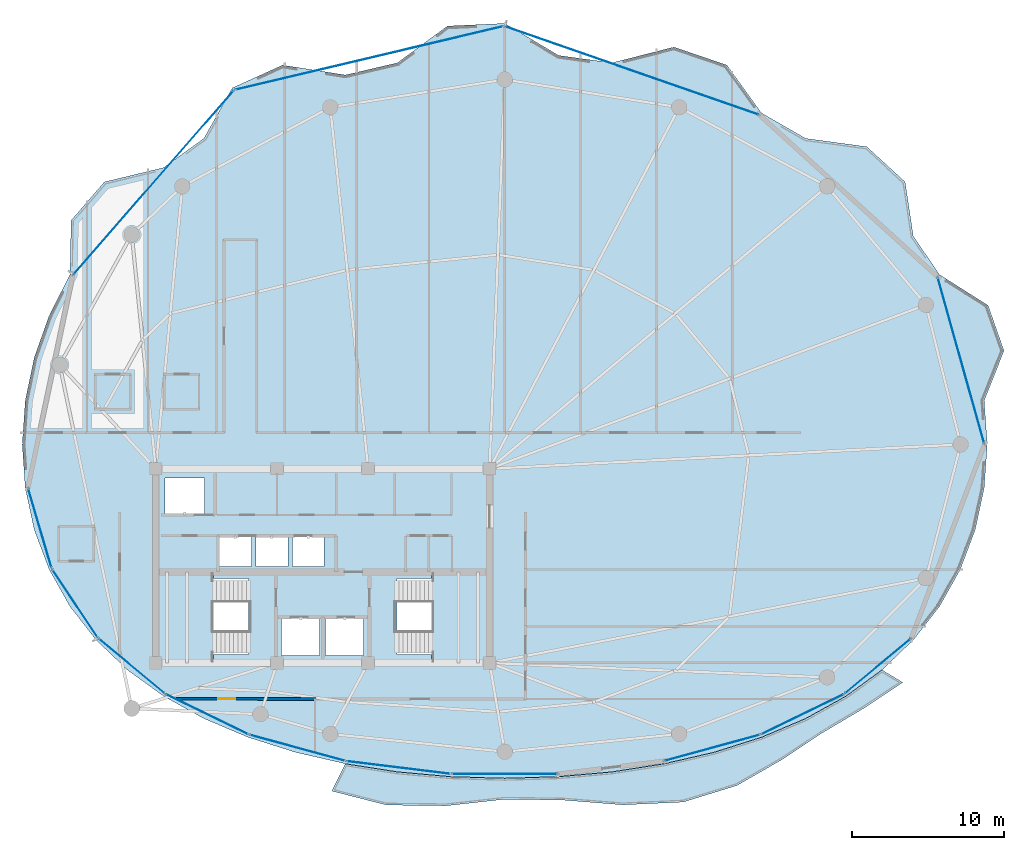
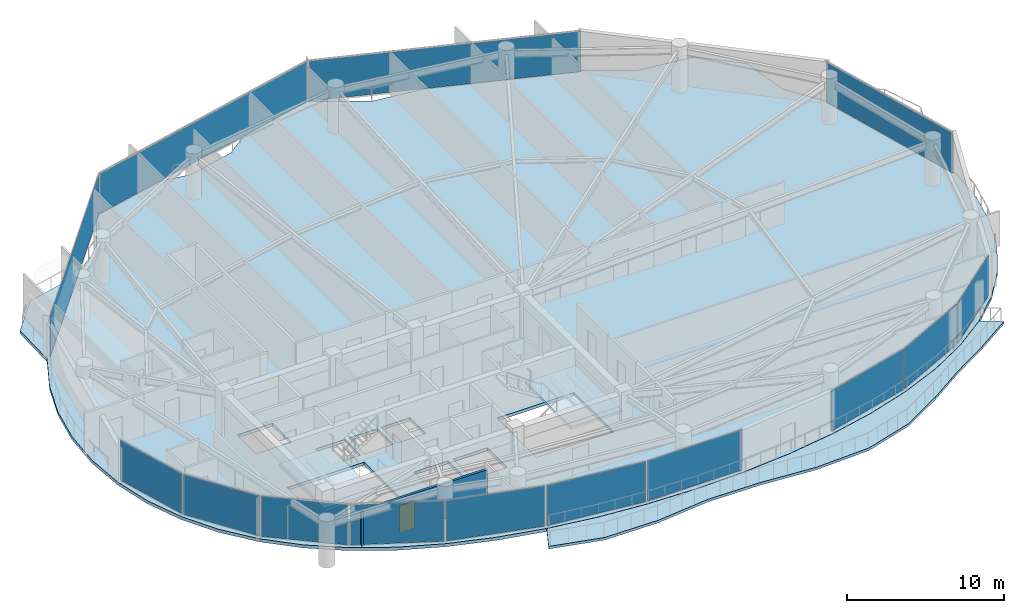
# One storey, part 22 of 29: 14 plates, 4 slabs, 1 door, 1 wall, 1 opening, 16 elements without a shape of their own.
"""IFC4 building model written with IfcOpenShell, lengths in metres."""

from ifc_helpers import new_model, si_unit, direction, frame, frame_2d, origin, origin_2d, place, context, subcontext, project, spatial, polyline, rectangle, outline, extrude, material, layer, layer_set, type_object, element, fill, aggregate, save


model = new_model("IFC4")

# Units and contexts
model_context = context("Model", 3, precision=1e-05, world=origin(), true_north=direction((0.0, 1.0)))
body_context = subcontext(model_context, "Body", "Model", "MODEL_VIEW")
ifc_project = project(units=[si_unit("LENGTHUNIT", "METRE"), si_unit("AREAUNIT", "SQUARE_METRE"), si_unit("VOLUMEUNIT", "CUBIC_METRE"), si_unit("PLANEANGLEUNIT", "RADIAN"), si_unit("MASSUNIT", "GRAM", prefix="KILO")], contexts=[model_context])

# Site, building, storey
site_placement = place(None, origin())
site = spatial("IfcSite", under=ifc_project, at=site_placement, CompositionType="ELEMENT")
building_placement = place(site_placement, origin())
building = spatial("IfcBuilding", under=site, at=building_placement, Name="Kazevale Care Tower and Concert Hall", CompositionType="ELEMENT")
storey_placement = place(building_placement, frame((0.0, 0.0, 249.60009765625)))
storey = spatial("IfcBuildingStorey", under=building, at=storey_placement, Name="L66", CompositionType="ELEMENT", Elevation=249.60009765625)

# Curtain wall, plate
ifc_material_1 = material(Name="Aluminium 6063-T6 and Low-E Glass", Category="aluminium")
ifc_layer_1 = layer(ifc_material_1, 0.179931640625)
ifc_layer_set_1 = layer_set([ifc_layer_1], Name="Aluminium 6063-T6 and Low-E Glass")
curtain_wall_type_1 = type_object("IfcCurtainWallType", Name="Convex Checkerboard Finned Curtain Wall CW-2", PredefinedType="NOTDEFINED", material=ifc_layer_set_1)
curtain_wall_1_placement = place(storey_placement, origin())
curtain_wall_1 = element("IfcCurtainWall", 1, at=curtain_wall_1_placement, inside=storey, type_object=curtain_wall_type_1, Name="cw:L66:f14", PredefinedType="NOTDEFINED")
ifc_material_2 = material(Name="Low-E Laminated Glass", Category="glass")
ifc_layer_2 = layer(ifc_material_2, 0.028076171875)
ifc_layer_set_2 = layer_set([ifc_layer_2], Name="Low-E Laminated Glass")
plate_type_1 = type_object("IfcPlateType", Name="CW-2 Low-E Glazing Panel 28mm", PredefinedType="CURTAIN_PANEL", material=ifc_layer_set_2)
plate_1_placement = place(storey_placement, frame((21.85009765625, 55.2529296875, 0.074951171875), z_axis=(0.0, 0.0, 1.0), x_axis=(0.657174776708, 0.753738225685, 0.0)))
plate_1 = element("IfcPlate", 2, at=plate_1_placement, type_object=plate_type_1, Name="CW-2 panel 1.1", PredefinedType="CURTAIN_PANEL", context=body_context, shape_type="SweptSolid", body=[
    extrude(rectangle(XDim=16.03662109375, YDim=0.028076171875, at=origin_2d()), origin(), (0.0, 0.0, 1.0), 3.1298828125),
])
aggregate(curtain_wall_1, [plate_1])

curtain_wall_2_placement = place(storey_placement, origin())
curtain_wall_2 = element("IfcCurtainWall", 3, at=curtain_wall_2_placement, inside=storey, type_object=curtain_wall_type_1, Name="cw:L66:f16", PredefinedType="NOTDEFINED")
plate_2_placement = place(storey_placement, frame((53.37451171875, 62.638427734375, 0.074951171875), z_axis=(0.0, 0.0, 1.0), x_axis=(0.94447485363, -0.328583704497, 0.0)))
plate_2 = element("IfcPlate", 4, at=plate_2_placement, type_object=plate_type_1, Name="CW-2 panel 1.1", PredefinedType="CURTAIN_PANEL", context=body_context, shape_type="SweptSolid", body=[
    extrude(rectangle(XDim=17.671142578125, YDim=0.028076171875, at=origin_2d()), origin(), (0.0, 0.0, 1.0), 3.1298828125),
])
aggregate(curtain_wall_2, [plate_2])

ifc_layer_3 = layer(ifc_material_1, 0.179931640625)
ifc_layer_set_3 = layer_set([ifc_layer_3], Name="Aluminium 6063-T6 and Low-E Glass")
curtain_wall_type_2 = type_object("IfcCurtainWallType", Name="Waist & Upper Residential Curtain Wall CW-4", PredefinedType="NOTDEFINED", material=ifc_layer_set_3)
curtain_wall_3_placement = place(storey_placement, origin())
curtain_wall_3 = element("IfcCurtainWall", 5, at=curtain_wall_3_placement, inside=storey, type_object=curtain_wall_type_2, Name="cw:L66:f11", PredefinedType="NOTDEFINED")
ifc_layer_4 = layer(ifc_material_2, 0.030029296875)
ifc_layer_set_4 = layer_set([ifc_layer_4], Name="Low-E Laminated Glass")
plate_type_2 = type_object("IfcPlateType", Name="CW-4 Low-E Glazing Panel 30mm", PredefinedType="CURTAIN_PANEL", material=ifc_layer_set_4)
plate_3_placement = place(storey_placement, frame((16.677978515625, 27.525390625, 0.079833984375), z_axis=(0.0, 0.0, 1.0), x_axis=(-0.554616540853, 0.832106058512, 0.0)))
plate_3 = element("IfcPlate", 6, at=plate_3_placement, type_object=plate_type_2, Name="CW-4 panel 1.1", PredefinedType="CURTAIN_PANEL", context=body_context, shape_type="SweptSolid", body=[
    extrude(rectangle(XDim=5.357421875, YDim=0.030029296875, at=origin_2d()), origin(), (0.0, 0.0, 1.0), 3.1201171875),
])
aggregate(curtain_wall_3, [plate_3])

curtain_wall_4_placement = place(storey_placement, origin())
curtain_wall_4 = element("IfcCurtainWall", 7, at=curtain_wall_4_placement, inside=storey, type_object=curtain_wall_type_2, Name="cw:L66:f12", PredefinedType="NOTDEFINED")
plate_4_placement = place(storey_placement, frame((14.363525390625, 32.489013671875, 0.079833984375), z_axis=(0.0, 0.0, 1.0), x_axis=(-0.282098184457, 0.959385539982, 0.0)))
plate_4 = element("IfcPlate", 8, at=plate_4_placement, type_object=plate_type_2, Name="CW-4 panel 1.1", PredefinedType="CURTAIN_PANEL", context=body_context, shape_type="SweptSolid", body=[
    extrude(rectangle(XDim=5.40185546875, YDim=0.030029296875, at=origin_2d()), origin(), (0.0, 0.0, 1.0), 3.1201171875),
])
aggregate(curtain_wall_4, [plate_4])

curtain_wall_5_placement = place(storey_placement, origin())
curtain_wall_5 = element("IfcCurtainWall", 9, at=curtain_wall_5_placement, inside=storey, type_object=curtain_wall_type_2, Name="cw:L66:f15", PredefinedType="NOTDEFINED")
plate_5_placement = place(storey_placement, frame((36.06298828125, 63.46240234375, 0.079833984375), z_axis=(0.0, 0.0, 1.0), x_axis=(0.973086746233, 0.230439111929, 0.0)))
plate_5 = element("IfcPlate", 10, at=plate_5_placement, type_object=plate_type_2, Name="CW-4 panel 1.1", PredefinedType="CURTAIN_PANEL", context=body_context, shape_type="SweptSolid", body=[
    extrude(rectangle(XDim=18.11376953125, YDim=0.030029296875, at=origin_2d()), origin(), (0.0, 0.0, 1.0), 3.1201171875),
])
aggregate(curtain_wall_5, [plate_5])

curtain_wall_6_placement = place(storey_placement, origin())
curtain_wall_6 = element("IfcCurtainWall", 11, at=curtain_wall_6_placement, inside=storey, type_object=curtain_wall_type_2, Name="cw:L66:f18", PredefinedType="NOTDEFINED")
plate_6_placement = place(storey_placement, frame((75.071533203125, 43.531005859375, 0.079833984375), z_axis=(0.0, 0.0, 1.0), x_axis=(0.269600864915, -0.962972156211, 0.0)))
plate_6 = element("IfcPlate", 12, at=plate_6_placement, type_object=plate_type_2, Name="CW-4 panel 1.1", PredefinedType="CURTAIN_PANEL", context=body_context, shape_type="SweptSolid", body=[
    extrude(rectangle(XDim=11.327392578125, YDim=0.030029296875, at=origin_2d()), origin(), (0.0, 0.0, 1.0), 3.1201171875),
])
aggregate(curtain_wall_6, [plate_6])

ifc_layer_5 = layer(ifc_material_1, 0.179931640625)
ifc_layer_set_5 = layer_set([ifc_layer_5], Name="Aluminium 6063-T6 and Low-E Glass")
curtain_wall_type_3 = type_object("IfcCurtainWallType", Name="Sheltered Concave Balcony Curtain Wall CW-5", PredefinedType="NOTDEFINED", material=ifc_layer_set_5)
curtain_wall_7_placement = place(storey_placement, origin())
curtain_wall_7 = element("IfcCurtainWall", 13, at=curtain_wall_7_placement, inside=storey, type_object=curtain_wall_type_3, Name="cw:L66:f02", PredefinedType="NOTDEFINED")
ifc_layer_6 = layer(ifc_material_2, 0.02587890625)
ifc_layer_set_6 = layer_set([ifc_layer_6], Name="Low-E Laminated Glass")
plate_type_3 = type_object("IfcPlateType", Name="CW-5 Low-E Glazing Panel 26mm", PredefinedType="CURTAIN_PANEL", material=ifc_layer_set_6)
plate_7_placement = place(storey_placement, frame((69.590576171875, 23.396484375, 0.074951171875), z_axis=(0.0, 0.0, 1.0), x_axis=(-0.768407210062, -0.639961217204, 0.0)))
plate_7 = element("IfcPlate", 14, at=plate_7_placement, type_object=plate_type_3, Name="CW-5 panel 1.1", PredefinedType="CURTAIN_PANEL", context=body_context, shape_type="SweptSolid", body=[
    extrude(rectangle(XDim=5.580078125, YDim=0.02587890625, at=origin_2d()), origin(), (0.0, 0.0, 1.0), 3.1298828125),
])
aggregate(curtain_wall_7, [plate_7])

curtain_wall_8_placement = place(storey_placement, origin())
curtain_wall_8 = element("IfcCurtainWall", 15, at=curtain_wall_8_placement, inside=storey, type_object=curtain_wall_type_3, Name="cw:L66:f03", PredefinedType="NOTDEFINED")
plate_8_placement = place(storey_placement, frame((64.62255859375, 20.218017578125, 0.074951171875), z_axis=(0.0, 0.0, 1.0), x_axis=(-0.89934566163, -0.437238357087, 0.0)))
plate_8 = element("IfcPlate", 16, at=plate_8_placement, type_object=plate_type_3, Name="CW-5 panel 1.1", PredefinedType="CURTAIN_PANEL", context=body_context, shape_type="SweptSolid", body=[
    extrude(rectangle(XDim=6.002197265625, YDim=0.02587890625, at=origin_2d()), origin(), (0.0, 0.0, 1.0), 3.1298828125),
])
aggregate(curtain_wall_8, [plate_8])

curtain_wall_9_placement = place(storey_placement, origin())
curtain_wall_9 = element("IfcCurtainWall", 17, at=curtain_wall_9_placement, inside=storey, type_object=curtain_wall_type_3, Name="cw:L66:f04", PredefinedType="NOTDEFINED")
plate_9_placement = place(storey_placement, frame((58.66259765625, 18.0029296875, 0.074951171875), z_axis=(0.0, 0.0, 1.0), x_axis=(-0.964836991167, -0.262848968947, 0.0)))
plate_9 = element("IfcPlate", 18, at=plate_9_placement, type_object=plate_type_3, Name="CW-5 panel 1.1", PredefinedType="CURTAIN_PANEL", context=body_context, shape_type="SweptSolid", body=[
    extrude(rectangle(XDim=6.4697265625, YDim=0.02587890625, at=origin_2d()), origin(), (0.0, 0.0, 1.0), 3.1298828125),
])
aggregate(curtain_wall_9, [plate_9])

curtain_wall_10_placement = place(storey_placement, origin())
curtain_wall_10 = element("IfcCurtainWall", 19, at=curtain_wall_10_placement, inside=storey, type_object=curtain_wall_type_3, Name="cw:L66:f06", PredefinedType="NOTDEFINED")
plate_10_placement = place(storey_placement, frame((45.0, 16.284912109375, 0.074951171875), z_axis=(0.0, 0.0, 1.0), x_axis=(-1.0, 0.0, 0.0)))
plate_10 = element("IfcPlate", 20, at=plate_10_placement, type_object=plate_type_3, Name="CW-5 panel 1.1", PredefinedType="CURTAIN_PANEL", context=body_context, shape_type="SweptSolid", body=[
    extrude(rectangle(XDim=6.949951171875, YDim=0.02587890625, at=origin_2d()), origin(), (0.0, 0.0, 1.0), 3.1298828125),
])
aggregate(curtain_wall_10, [plate_10])

curtain_wall_11_placement = place(storey_placement, origin())
curtain_wall_11 = element("IfcCurtainWall", 21, at=curtain_wall_11_placement, inside=storey, type_object=curtain_wall_type_3, Name="cw:L66:f07", PredefinedType="NOTDEFINED")
plate_11_placement = place(storey_placement, frame((37.990478515625, 16.708984375, 0.074951171875), z_axis=(0.0, 0.0, 1.0), x_axis=(-0.992572961225, 0.121650797964, 0.0)))
plate_11 = element("IfcPlate", 22, at=plate_11_placement, type_object=plate_type_3, Name="CW-5 panel 1.1", PredefinedType="CURTAIN_PANEL", context=body_context, shape_type="SweptSolid", body=[
    extrude(rectangle(XDim=6.82080078125, YDim=0.02587890625, at=origin_2d()), origin(), (0.0, 0.0, 1.0), 3.1298828125),
])
aggregate(curtain_wall_11, [plate_11])

curtain_wall_12_placement = place(storey_placement, origin())
curtain_wall_12 = element("IfcCurtainWall", 23, at=curtain_wall_12_placement, inside=storey, type_object=curtain_wall_type_3, Name="cw:L66:f08", PredefinedType="NOTDEFINED")
plate_12_placement = place(storey_placement, frame((31.33740234375, 18.0029296875, 0.074951171875), z_axis=(0.0, 0.0, 1.0), x_axis=(-0.964836991167, 0.262848968947, 0.0)))
plate_12 = element("IfcPlate", 24, at=plate_12_placement, type_object=plate_type_3, Name="CW-5 panel 1.1", PredefinedType="CURTAIN_PANEL", context=body_context, shape_type="SweptSolid", body=[
    extrude(rectangle(XDim=6.4697265625, YDim=0.02587890625, at=origin_2d()), origin(), (0.0, 0.0, 1.0), 3.1298828125),
])
aggregate(curtain_wall_12, [plate_12])

curtain_wall_13_placement = place(storey_placement, origin())
curtain_wall_13 = element("IfcCurtainWall", 25, at=curtain_wall_13_placement, inside=storey, type_object=curtain_wall_type_3, Name="cw:L66:f09", PredefinedType="NOTDEFINED")
plate_13_placement = place(storey_placement, frame((25.37744140625, 20.218017578125, 0.074951171875), z_axis=(0.0, 0.0, 1.0), x_axis=(-0.89934566163, 0.437238357087, 0.0)))
plate_13 = element("IfcPlate", 26, at=plate_13_placement, type_object=plate_type_3, Name="CW-5 panel 1.1", PredefinedType="CURTAIN_PANEL", context=body_context, shape_type="SweptSolid", body=[
    extrude(rectangle(XDim=6.002197265625, YDim=0.02587890625, at=origin_2d()), origin(), (0.0, 0.0, 1.0), 3.1298828125),
])
aggregate(curtain_wall_13, [plate_13])

curtain_wall_14_placement = place(storey_placement, origin())
curtain_wall_14 = element("IfcCurtainWall", 27, at=curtain_wall_14_placement, inside=storey, type_object=curtain_wall_type_3, Name="cw:L66:f10", PredefinedType="NOTDEFINED")
plate_14_placement = place(storey_placement, frame((20.409423828125, 23.396484375, 0.074951171875), z_axis=(0.0, 0.0, 1.0), x_axis=(-0.768407210062, 0.639961217204, 0.0)))
plate_14 = element("IfcPlate", 28, at=plate_14_placement, type_object=plate_type_3, Name="CW-5 panel 1.1", PredefinedType="CURTAIN_PANEL", context=body_context, shape_type="SweptSolid", body=[
    extrude(rectangle(XDim=5.580078125, YDim=0.02587890625, at=origin_2d()), origin(), (0.0, 0.0, 1.0), 3.1298828125),
])
aggregate(curtain_wall_14, [plate_14])

# Slab
ifc_material_3 = material(Name="Concrete C40", Category="concrete")
ifc_layer_7 = layer(ifc_material_3, 0.199951171875)
ifc_layer_set_7 = layer_set([ifc_layer_7], Name="Concrete C40")
slab_type_1 = type_object("IfcSlabType", Name="Sinusoidal Concave Balcony Slab 200", PredefinedType="USERDEFINED", material=ifc_layer_set_7)
slab_1_placement = place(storey_placement, frame((0.0, 0.0, -0.2001953125)))
element("IfcSlab", 29, at=slab_1_placement, inside=storey, type_object=slab_type_1, Name="slab:L66:bal", ObjectType="BALCONY", PredefinedType="USERDEFINED", context=body_context, shape_type="SweptSolid", body=[
    extrude(outline(polyline([(71.234619140625, 22.31640625), (68.611572265625, 20.580322265625), (65.888427734375, 18.966552734375), (63.23291015625, 17.204345703125), (60.2919921875, 15.516357421875), (56.7626953125, 14.431884765625), (52.78955078125, 14.2470703125), (48.81103515625, 14.56396484375), (45.0, 14.6171875), (41.12744140625, 14.185791015625), (37.206787109375, 14.235595703125), (33.60009765625, 15.158935546875), (34.494873046875, 16.951416015625), (34.49609375, 16.951171875), (37.923095703125, 16.417236328125), (41.439208984375, 16.10009765625), (45.0, 15.9951171875), (48.560791015625, 16.10009765625), (52.076904296875, 16.417236328125), (55.50390625, 16.951171875), (58.798828125, 17.708740234375), (61.92041015625, 18.69873046875), (64.8291015625, 19.92919921875), (67.48876953125, 21.406494140625), (69.865478515625, 23.133056640625), (69.86669921875, 23.13427734375), (71.234619140625, 22.31640625)])), origin(), (0.0, 0.0, 1.0), 0.2001953125),
])

# Stair, slab
stair_type = type_object("IfcStairType", Name="Exit Stair Assembly ST1-Z3", PredefinedType="HALF_TURN_STAIR", material=ifc_material_3)
stair_1_placement = place(storey_placement, origin())
stair_1 = element("IfcStair", 30, at=stair_1_placement, inside=storey, type_object=stair_type, Name="stair:L66:ST1", PredefinedType="HALF_TURN_STAIR")
ifc_layer_8 = layer(ifc_material_3, 0.199951171875)
ifc_layer_set_8 = layer_set([ifc_layer_8], Name="Concrete C40")
slab_type_2 = type_object("IfcSlabType", Name="Stair Half-Landing Slab ST1-Z3", PredefinedType="LANDING", material=ifc_layer_set_8)
slab_2_placement = place(storey_placement, frame((0.0, 0.0, 1.599853515625)))
slab_2 = element("IfcSlab", 31, at=slab_2_placement, type_object=slab_type_2, Name="ST1-Z3 landing 1", PredefinedType="LANDING", context=body_context, shape_type="SweptSolid", body=[
    extrude(outline(polyline([(22.050048828125, 23.699951171875), (25.81005859375, 23.699951171875), (25.81005859375, 29.5), (22.050048828125, 29.5), (22.050048828125, 23.699951171875)])), origin(), (0.0, 0.0, 1.0), 0.199951171875),
])
aggregate(stair_1, [slab_2])

stair_2_placement = place(storey_placement, origin())
stair_2 = element("IfcStair", 32, at=stair_2_placement, inside=storey, type_object=stair_type, Name="stair:L66:ST2", PredefinedType="HALF_TURN_STAIR")
slab_3_placement = place(storey_placement, frame((0.0, 0.0, 1.599853515625)))
slab_3 = element("IfcSlab", 33, at=slab_3_placement, type_object=slab_type_2, Name="ST1-Z3 landing 1", PredefinedType="LANDING", context=body_context, shape_type="SweptSolid", body=[
    extrude(outline(polyline([(40.18994140625, 23.699951171875), (43.949951171875, 23.699951171875), (43.949951171875, 29.5), (40.18994140625, 29.5), (40.18994140625, 23.699951171875)])), origin(), (0.0, 0.0, 1.0), 0.199951171875),
])
aggregate(stair_2, [slab_3])

# Slab
ifc_layer_9 = layer(ifc_material_3, 0.239990234375)
ifc_layer_set_9 = layer_set([ifc_layer_9], Name="Concrete C40")
slab_type_3 = type_object("IfcSlabType", Name="Tower Typical Floor Slab 240", PredefinedType="FLOOR", material=ifc_layer_set_9)
slab_4_placement = place(storey_placement, frame((0.0, 0.0, -0.239990234375)))
element("IfcSlab", 34, at=slab_4_placement, inside=storey, type_object=slab_type_3, Name="slab:L66:tw:1", PredefinedType="FLOOR", context=body_context, shape_type="SweptSolid", body=[
    extrude(outline(polyline([(76.800048828125, 38.0), (76.60009765625, 40.888671875), (77.90380859375, 44.175048828125), (76.856201171875, 47.165283203125), (73.65087890625, 49.194091796875), (71.92578125, 51.726318359375), (71.38671875, 55.3017578125), (68.864990234375, 57.622314453125), (64.826904296875, 58.17138671875), (61.918701171875, 59.845458984375), (59.6435546875, 63.001953125), (56.14697265625, 64.19287109375), (52.076171875, 63.153076171875), (48.560546875, 63.6376953125), (45.0, 65.75), (41.22119140625, 65.575439453125), (37.923828125, 63.153076171875), (34.4970703125, 62.352294921875), (30.3564453125, 63.001953125), (27.0439453125, 61.49658203125), (25.173095703125, 58.17138671875), (22.513916015625, 56.243408203125), (18.61328125, 55.3017578125), (16.423095703125, 52.763916015625), (16.34912109375, 49.194091796875), (14.984619140625, 46.521240234375), (13.997314453125, 43.740966796875), (13.39990234375, 40.888671875), (13.199951171875, 38.0), (13.39990234375, 35.131103515625), (13.997314453125, 32.362060546875), (14.984619140625, 29.744873046875), (16.34912109375, 27.318115234375), (18.07421875, 25.109130859375), (20.1376953125, 23.13671875), (22.513916015625, 21.41064453125), (25.173095703125, 19.933837890625), (28.081298828125, 18.70361328125), (31.202392578125, 17.713623046875), (34.4970703125, 16.9560546875), (37.923828125, 16.422119140625), (41.439453125, 16.10498046875), (45.0, 16.0), (48.560546875, 16.10498046875), (52.076171875, 16.422119140625), (55.5029296875, 16.9560546875), (58.797607421875, 17.713623046875), (61.918701171875, 18.70361328125), (64.826904296875, 19.933837890625), (67.486083984375, 21.41064453125), (69.8623046875, 23.13671875), (71.92578125, 25.109130859375), (73.65087890625, 27.318115234375), (75.015380859375, 29.744873046875), (76.002685546875, 32.362060546875), (76.60009765625, 35.131103515625), (76.800048828125, 38.0)]), holes=[polyline([(22.449951171875, 24.14990234375), (28.110107421875, 24.14990234375), (28.110107421875, 29.14990234375), (22.449951171875, 29.14990234375), (22.449951171875, 24.14990234375)]), polyline([(37.889892578125, 24.14990234375), (43.550048828125, 24.14990234375), (43.550048828125, 29.14990234375), (37.889892578125, 29.14990234375), (37.889892578125, 24.14990234375)]), polyline([(30.300048828125, 24.10009765625), (32.800048828125, 24.10009765625), (32.800048828125, 26.60009765625), (30.300048828125, 26.60009765625), (30.300048828125, 24.10009765625)]), polyline([(33.199951171875, 24.10009765625), (35.699951171875, 24.10009765625), (35.699951171875, 26.60009765625), (33.199951171875, 26.60009765625), (33.199951171875, 24.10009765625)]), polyline([(22.60009765625, 33.39990234375), (25.199951171875, 33.39990234375), (25.199951171875, 35.800048828125), (22.60009765625, 35.800048828125), (22.60009765625, 33.39990234375)]), polyline([(26.199951171875, 29.949951171875), (28.300048828125, 29.949951171875), (28.300048828125, 31.949951171875), (26.199951171875, 31.949951171875), (26.199951171875, 29.949951171875)]), polyline([(28.60009765625, 29.949951171875), (30.699951171875, 29.949951171875), (30.699951171875, 31.949951171875), (28.60009765625, 31.949951171875), (28.60009765625, 29.949951171875)]), polyline([(31.0, 29.949951171875), (33.10009765625, 29.949951171875), (33.10009765625, 31.949951171875), (31.0, 31.949951171875), (31.0, 29.949951171875)])]), origin(), (0.0, 0.0, 1.0), 0.239990234375),
])

# Wall, opening, door
ifc_material_4 = material(Name="Concrete C40 and Acoustic Gypsum", Category="concrete")
ifc_layer_10 = layer(ifc_material_4, 0.179931640625)
ifc_layer_set_10 = layer_set([ifc_layer_10], Name="Concrete C40 and Acoustic Gypsum")
wall_type = type_object("IfcWallType", Name="Fire-Rated Corridor & Party Wall 180", PredefinedType="PARTITIONING", material=ifc_layer_set_10)
wall_placement = place(storey_placement, frame((32.56494140625, 21.22509765625, 0.0), z_axis=(0.0, 0.0, 1.0), x_axis=(-0.999998305737, 0.001840794209, 0.0)))
wall = element("IfcWall", 35, at=wall_placement, inside=storey, type_object=wall_type, Name="wall:L66:auto_020", PredefinedType="PARTITIONING", context=body_context, shape_type="SweptSolid", body=[
    extrude(rectangle(XDim=9.283935546875, YDim=0.179931640625, at=frame_2d((4.64208984375, 0.0))), origin(), (0.0, 0.0, 1.0), 2.725830078125),
])
opening_placement = place(wall_placement, frame((5.3291015625, 0.0, 0.0)))
opening = element("IfcOpeningElement", 36, at=opening_placement, cuts=wall, Name="Opening ID-1100", PredefinedType="OPENING", context=body_context, shape_type="SweptSolid", body=[
    extrude(rectangle(XDim=1.10009765625, YDim=2.10009765625, at=frame_2d((0.550048828125, 1.050048828125))), frame((0.0, 0.099853515625, 0.0), z_axis=(0.0, -1.0, 0.0), x_axis=(1.0, 0.0, 0.0)), (0.0, 0.0, 1.0), 0.199951171875),
])
ifc_material_5 = material(Name="Oak Timber Fire Leaf", Category="wood")
door_type = type_object("IfcDoorType", Name="Care Bedroom Accessible Door 1100x2100", OperationType="NOTDEFINED", PredefinedType="DOOR", material=ifc_material_5)
door_placement = place(opening_placement, origin())
door = element("IfcDoor", 37, at=door_placement, inside=storey, type_object=door_type, Name="door:L66:ad_020", OperationType="SINGLE_SWING_LEFT", OverallHeight=2.10009765625, OverallWidth=1.10009765625, PredefinedType="DOOR", context=body_context, shape_type="SweptSolid", body=[
    extrude(rectangle(XDim=1.10009765625, YDim=2.10009765625, at=frame_2d((0.550048828125, 1.050048828125))), frame((0.0, 0.02490234375, 0.0), z_axis=(0.0, -1.0, 0.0), x_axis=(1.0, 0.0, 0.0)), (0.0, 0.0, 1.0), 0.050048828125),
])
fill(opening, door)

save(model, "model.ifc")
